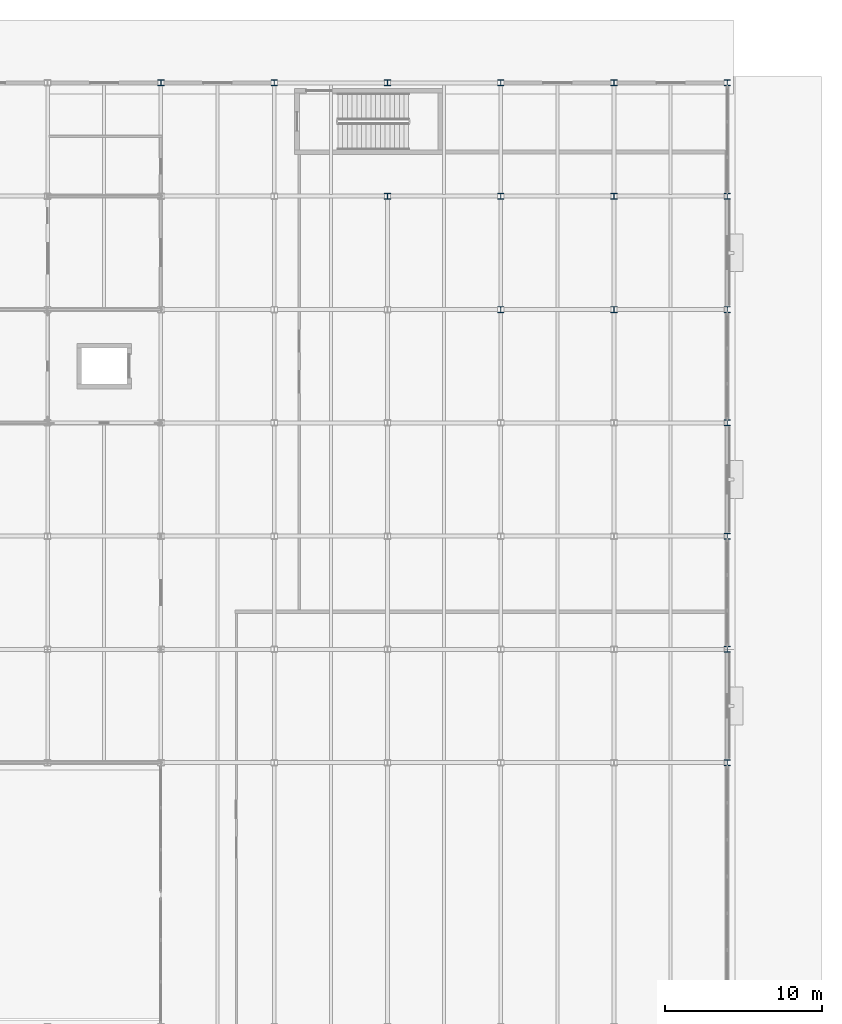
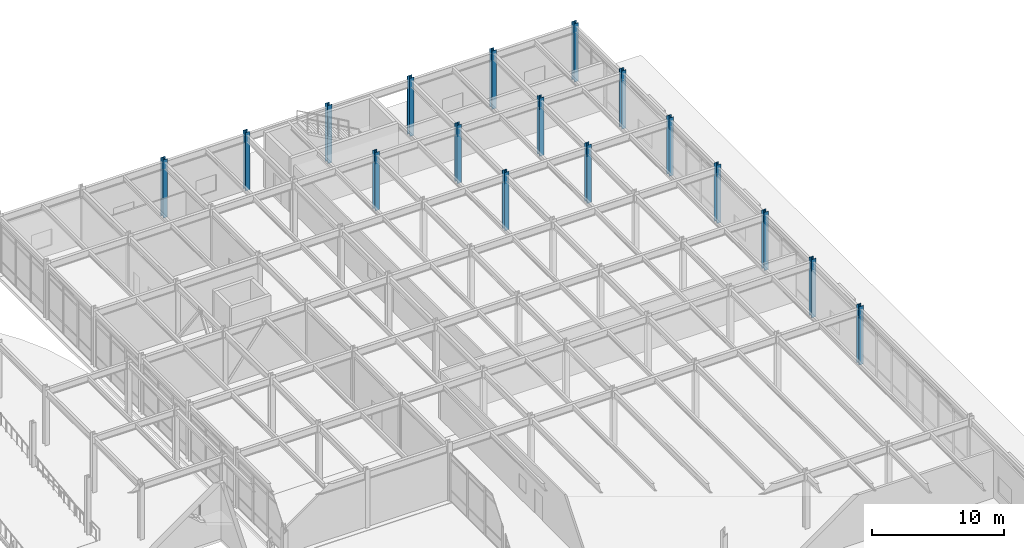
# One storey, part 18 of 104: 17 columns.
"""IFC4 building model written with IfcOpenShell, lengths in metres."""

from ifc_helpers import new_model, si_unit, direction, frame, origin, origin_2d, place, context, subcontext, project, spatial, i_section, extrude, material, material_profile, profile_set, type_object, element, save


model = new_model("IFC4")

# Units and contexts
model_context = context("Model", 3, precision=1e-05, world=origin(), true_north=direction((0.0, 1.0)))
body_context = subcontext(model_context, "Body", "Model", "MODEL_VIEW")
ifc_project = project(units=[si_unit("LENGTHUNIT", "METRE"), si_unit("AREAUNIT", "SQUARE_METRE"), si_unit("VOLUMEUNIT", "CUBIC_METRE"), si_unit("PLANEANGLEUNIT", "RADIAN"), si_unit("MASSUNIT", "GRAM", prefix="KILO")], contexts=[model_context])

# Site, building, storey
site_placement = place(None, origin())
site = spatial("IfcSite", under=ifc_project, at=site_placement, CompositionType="ELEMENT")
building_placement = place(site_placement, origin())
building = spatial("IfcBuilding", under=site, at=building_placement, Name="Vaelcorin Mobility Hub", CompositionType="ELEMENT")
storey_placement = place(building_placement, origin())
storey = spatial("IfcBuildingStorey", under=building, at=storey_placement, Name="L00", CompositionType="ELEMENT", Elevation=0.0)

# Columns
ifc_material = material(Name="Steel ASTM A992 Grade 50", Category="steel")
ifc_material_profile = material_profile(ifc_material, i_section(OverallWidth=0.39599609375, OverallDepth=0.381103515625, WebThickness=0.018798828125, FlangeThickness=0.0302734375, FilletRadius=0.014892578125, at=origin_2d()), Name="W14X159")
ifc_profile_set = profile_set([ifc_material_profile], Name="Steel ASTM A992 Grade 50")
column_type = type_object("IfcColumnType", Name="COL-W14X159", PredefinedType="COLUMN", material=ifc_profile_set)
for number, where, z_axis, x_axis, name in (
    (1, (168.0, 120.0, 0.0), (0.0, 0.0, 1.0), (1.0, 0.0, 0.0), "Column V5-X03Y15 L00"),
    (2, (175.199951171875, 120.0, 0.0), (0.0, 0.0, 1.0), (1.0, 0.0, 0.0), "Column V5-X04Y15 L00"),
    (3, (182.39990234375, 112.800048828125, 0.0), (0.0, 0.0, 1.0), (1.0, 0.0, 0.0), "Column V5-X05Y14 L00"),
    (4, (182.39990234375, 120.0, 0.0), (0.0, 0.0, 1.0), (1.0, 0.0, 0.0), "Column V5-X05Y15 L00"),
    (5, (189.60009765625, 105.60009765625, 0.0), (0.0, 0.0, 1.0), (1.0, 0.0, 0.0), "Column V5-X06Y13 L00"),
    (6, (189.60009765625, 112.800048828125, 0.0), (0.0, 0.0, 1.0), (1.0, 0.0, 0.0), "Column V5-X06Y14 L00"),
    (7, (189.60009765625, 120.0, 0.0), (0.0, 0.0, 1.0), (1.0, 0.0, 0.0), "Column V5-X06Y15 L00"),
    (8, (196.800048828125, 105.60009765625, 0.0), (0.0, 0.0, 1.0), (1.0, 0.0, 0.0), "Column V5-X07Y13 L00"),
    (9, (196.800048828125, 112.800048828125, 0.0), (0.0, 0.0, 1.0), (1.0, 0.0, 0.0), "Column V5-X07Y14 L00"),
    (10, (196.800048828125, 120.0, 0.0), (0.0, 0.0, 1.0), (1.0, 0.0, 0.0), "Column V5-X07Y15 L00"),
    (11, (204.0, 76.800048828125, 0.0), (0.0, 0.0, 1.0), (1.0, 0.0, 0.0), "Column V5-X08Y09 L00"),
    (12, (204.0, 84.0, 0.0), (0.0, 0.0, 1.0), (1.0, 0.0, 0.0), "Column V5-X08Y10 L00"),
    (13, (204.0, 91.199951171875, 0.0), (0.0, 0.0, 1.0), (1.0, 0.0, 0.0), "Column V5-X08Y11 L00"),
    (14, (204.0, 98.39990234375, 0.0), (0.0, 0.0, 1.0), (1.0, 0.0, 0.0), "Column V5-X08Y12 L00"),
    (15, (204.0, 105.60009765625, 0.0), (0.0, 0.0, 1.0), (1.0, 0.0, 0.0), "Column V5-X08Y13 L00"),
    (16, (204.0, 112.800048828125, 0.0), (0.0, 0.0, 1.0), (1.0, 0.0, 0.0), "Column V5-X08Y14 L00"),
    (17, (204.0, 120.0, 0.0), (0.0, 0.0, 1.0), (1.0, 0.0, 0.0), "Column V5-X08Y15 L00"),
):
    element("IfcColumn", number, at=place(storey_placement, frame(where, z_axis=z_axis, x_axis=x_axis)), inside=storey, type_object=column_type, Name=name, PredefinedType="COLUMN", context=body_context, shape_type="SweptSolid", body=[
        extrude(i_section(OverallWidth=0.39599609375, OverallDepth=0.381103515625, WebThickness=0.018798828125, FlangeThickness=0.0302734375, FilletRadius=0.014892578125, at=origin_2d()), origin(), (0.0, 0.0, 1.0), 5.39990234375),
    ])

save(model, "model.ifc")
